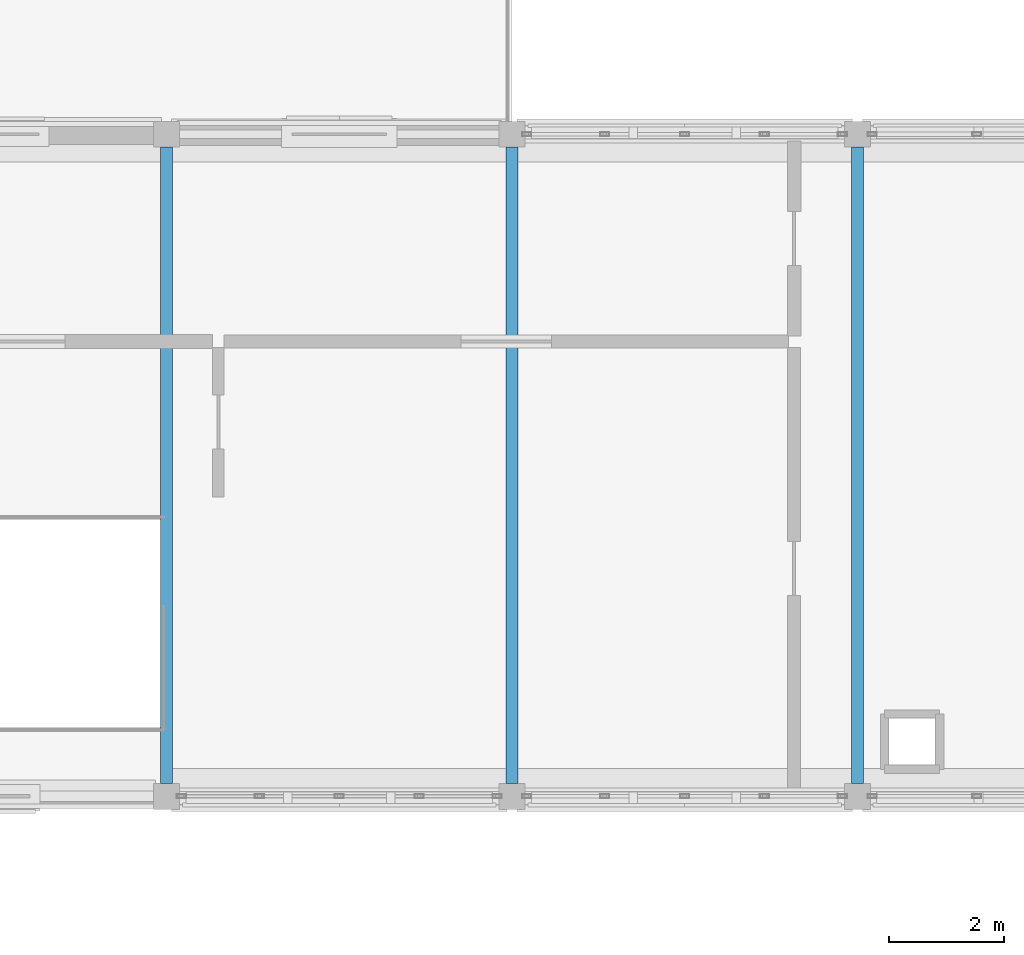
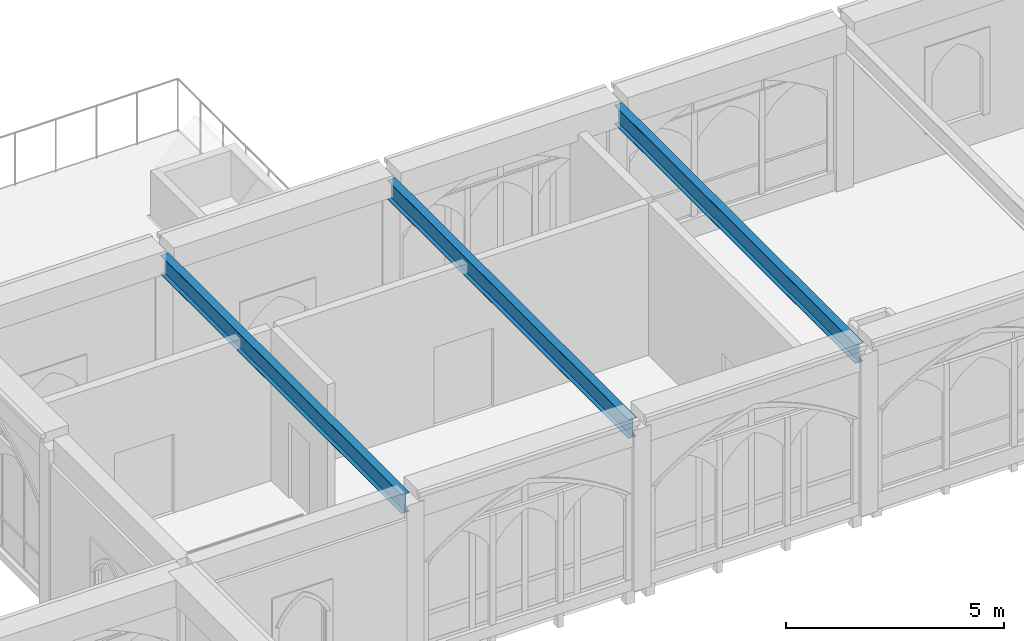
# One storey, part 12 of 59: 3 beams.
"""IFC4 building model written with IfcOpenShell, lengths in metres."""

import ifcopenshell
import ifcopenshell.guid

model = None  # the IFC model being written
_history = None  # IfcOwnerHistory: only IFC2X3 demands one
_inside = {}  # id of a spatial element -> (the spatial element, [elements in it])
_under = {}  # id of a project, library or spatial element -> (it, [spatial elements below it])
_declared = {}  # id of a project -> (the project, [libraries it declares])
_typed = {}  # id of a type object -> (the type object, [elements of that type])
_made_of = {}  # id of a material, layer set ... -> (it, [elements and type objects made of it])


def new_model(schema):
    """Start an empty IFC model of exactly this schema.

    Asked for "IFC4X3", IfcOpenShell would pick the latest addendum, in which some entities
    have other attributes; the version numbers below select the first issue.
    IFC2X3 requires an IfcOwnerHistory on every rooted entity: one is made here for all.
    """
    global model, _history
    if schema == "IFC4X3":
        model = ifcopenshell.file(schema_version=(4, 3, 0, 0))
    else:
        model = ifcopenshell.file(schema=schema)
    _inside.clear()
    _under.clear()
    _declared.clear()
    _typed.clear()
    _made_of.clear()
    _history = None
    if model.schema == "IFC2X3":
        org = make("IfcOrganization", Name="unknown")
        user = make(
            "IfcPersonAndOrganization",
            ThePerson=make("IfcPerson", FamilyName="unknown"),
            TheOrganization=org,
        )
        app = make(
            "IfcApplication",
            ApplicationDeveloper=org,
            Version="unknown",
            ApplicationFullName="unknown",
            ApplicationIdentifier="unknown",
        )
        _history = make(
            "IfcOwnerHistory",
            OwningUser=user,
            OwningApplication=app,
            ChangeAction="ADDED",
            CreationDate=0,
        )
    return model


def make(cls, **values):
    """One entity of the class cls with the attributes given. An attribute that is None is left unset."""
    return model.create_entity(
        cls, **{name: value for name, value in values.items() if value is not None}
    )


def rooted(cls, **values):
    """An entity with a GlobalId (a new one), such as an element, a storey or a relation."""
    return make(cls, GlobalId=ifcopenshell.guid.new(), OwnerHistory=_history, **values)


def si_unit(unit_type, name, prefix=None):
    """IfcSIUnit, for example si_unit("LENGTHUNIT", "METRE", prefix="MILLI")."""
    return make("IfcSIUnit", UnitType=unit_type, Prefix=prefix, Name=name)


def assignment(units):
    """IfcUnitAssignment: the units of a project."""
    return None if units is None else make("IfcUnitAssignment", Units=units)


def point(xyz):
    """IfcCartesianPoint."""
    return None if xyz is None else make("IfcCartesianPoint", Coordinates=xyz)


def direction(xyz):
    """IfcDirection."""
    return None if xyz is None else make("IfcDirection", DirectionRatios=xyz)


def frame(location, z_axis=None, x_axis=None):
    """IfcAxis2Placement3D, a coordinate frame: its origin and axes. An axis left out is left unset."""
    return make(
        "IfcAxis2Placement3D",
        Location=point(location),
        Axis=direction(z_axis),
        RefDirection=direction(x_axis),
    )


def frame_2d(location, x_axis=None):
    """IfcAxis2Placement2D, a coordinate frame in the plane: its origin and x axis."""
    return make(
        "IfcAxis2Placement2D", Location=point(location), RefDirection=direction(x_axis)
    )


def origin():
    """The frame at (0, 0, 0) with its axes left unset."""
    return frame((0.0, 0.0, 0.0))


def origin_2d():
    """The frame at (0, 0) in the plane with its x axis left unset."""
    return frame_2d((0.0, 0.0))


def place(relative_to, where):
    """IfcLocalPlacement: puts the frame where relative to a parent placement (None: the world)."""
    return make(
        "IfcLocalPlacement", PlacementRelTo=relative_to, RelativePlacement=where
    )


def context(
    kind, dimensions, precision=None, world=None, true_north=None, identifier=None
):
    """IfcGeometricRepresentationContext, for example the 3D "Model" context."""
    return make(
        "IfcGeometricRepresentationContext",
        ContextIdentifier=identifier,
        ContextType=kind,
        CoordinateSpaceDimension=dimensions,
        Precision=precision,
        WorldCoordinateSystem=world,
        TrueNorth=true_north,
    )


def subcontext(parent, identifier, kind, view, scale=None):
    """IfcGeometricRepresentationSubContext, for example "Body" below "Model"."""
    return make(
        "IfcGeometricRepresentationSubContext",
        ContextIdentifier=identifier,
        ContextType=kind,
        ParentContext=parent,
        TargetScale=scale,
        TargetView=view,
    )


def project(units=None, contexts=None):
    """IfcProject with its units and contexts."""
    return rooted(
        "IfcProject",
        Name="project",
        RepresentationContexts=contexts,
        UnitsInContext=assignment(units),
    )


def spatial(cls, under=None, at=None, **own):
    """A site, building, storey or space (cls), placed at a placement, below another one or the project."""
    s = rooted(cls, ObjectPlacement=at, **own)
    if under is not None:
        _under.setdefault(under.id(), (under, []))[1].append(s)
    return s


def profile(cls, at=None, kind="AREA", **sizes):
    """A parametric profile (cls). Its sizes go by their IFC names, for example OverallWidth=200.0."""
    return make(cls, ProfileType=kind, Position=at, **sizes)


def i_section(**sizes):
    """IfcIShapeProfileDef."""
    return profile("IfcIShapeProfileDef", **sizes)


def extrude(swept, where, along, depth):
    """IfcExtrudedAreaSolid: the profile swept, set in the frame where, extruded along a direction by depth."""
    return make(
        "IfcExtrudedAreaSolid",
        SweptArea=swept,
        Position=where,
        ExtrudedDirection=direction(along),
        Depth=depth,
    )


def shape(context_of_items, identifier, shape_type, items):
    """IfcShapeRepresentation: the items that make up one representation, for example the "Body"."""
    return make(
        "IfcShapeRepresentation",
        ContextOfItems=context_of_items,
        RepresentationIdentifier=identifier,
        RepresentationType=shape_type,
        Items=items,
    )


def material(Name=None, Category=None):
    """IfcMaterial."""
    return make("IfcMaterial", Name=Name, Category=Category)


def material_profile(
    of_material, cross_section, Name=None, Category=None, Priority=None
):
    """IfcMaterialProfile: a cross section and its material."""
    return make(
        "IfcMaterialProfile",
        Name=Name,
        Material=of_material,
        Profile=cross_section,
        Priority=Priority,
        Category=Category,
    )


def profile_set(profiles, Name=None, composite=None):
    """IfcMaterialProfileSet."""
    return make(
        "IfcMaterialProfileSet",
        Name=Name,
        MaterialProfiles=profiles,
        CompositeProfile=composite,
    )


def made_of(thing, what):
    """Note that an element or type object is made of a material, layer set ...; save() writes the relation."""
    if what is not None:
        _made_of.setdefault(what.id(), (what, []))[1].append(thing)
    return thing


def type_object(cls, material=None, **own):
    """A type object (cls), such as IfcWallType, which elements share."""
    return made_of(rooted(cls, **own), material)


def element(
    cls,
    number,
    at=None,
    inside=None,
    cuts=None,
    type_object=None,
    material=None,
    context=None,
    identifier="Body",
    shape_type=None,
    held_by="IfcProductDefinitionShape",
    body=None,
    shapes=None,
    **own,
):
    """One element of the class cls, such as IfcWall. Its Tag is "e" and its number.

    at: its placement. inside: the storey or other place that contains it. cuts: it is an
    opening in that element (IfcRelVoidsElement). A single representation is given by context,
    identifier, shape_type and body (its items); several are given by shapes. held_by: the class
    of the entity that holds the representations. save() writes the other relations.
    """
    e = rooted(cls, Tag="e%d" % number, ObjectPlacement=at, **own)
    if body is not None:
        shapes = [shape(context, identifier, shape_type, body)]
    if shapes is not None:
        e.Representation = make(held_by, Representations=shapes)
    if inside is not None:
        _inside.setdefault(inside.id(), (inside, []))[1].append(e)
    if cuts is not None:
        rooted(
            "IfcRelVoidsElement", RelatingBuildingElement=cuts, RelatedOpeningElement=e
        )
    if type_object is not None:
        _typed.setdefault(type_object.id(), (type_object, []))[1].append(e)
    return made_of(e, material)


def aggregate(whole, parts):
    """IfcRelAggregates: a whole, such as a stair, and the parts it consists of."""
    return rooted("IfcRelAggregates", RelatingObject=whole, RelatedObjects=parts)


def save(model, path):
    """Write the relations noted so far, then the file.

    IfcRelAggregates (storeys below a building ...), IfcRelContainedInSpatialStructure (elements
    in a storey), IfcRelDefinesByType, IfcRelAssociatesMaterial and IfcRelDeclares: one each for
    every whole, place, type object, material and project.
    """
    for whole, parts in _under.values():
        aggregate(whole, parts)
    for where, things in _inside.values():
        rooted(
            "IfcRelContainedInSpatialStructure",
            RelatedElements=things,
            RelatingStructure=where,
        )
    for kind, things in _typed.values():
        rooted("IfcRelDefinesByType", RelatedObjects=things, RelatingType=kind)
    for what, things in _made_of.values():
        rooted("IfcRelAssociatesMaterial", RelatedObjects=things, RelatingMaterial=what)
    for by, libraries in _declared.values():
        rooted("IfcRelDeclares", RelatingContext=by, RelatedDefinitions=libraries)
    model.write(path)


model = new_model("IFC4")

# Units and contexts
model_context = context("Model", 3, precision=1e-05, world=origin(), true_north=direction((0.0, 1.0)))
body_context = subcontext(model_context, "Body", "Model", "MODEL_VIEW")
ifc_project = project(units=[si_unit("LENGTHUNIT", "METRE"), si_unit("AREAUNIT", "SQUARE_METRE"), si_unit("VOLUMEUNIT", "CUBIC_METRE"), si_unit("PLANEANGLEUNIT", "RADIAN"), si_unit("MASSUNIT", "GRAM", prefix="KILO")], contexts=[model_context])

# Site, building, storey
site_placement = place(None, origin())
site = spatial("IfcSite", under=ifc_project, at=site_placement, CompositionType="ELEMENT")
building_placement = place(site_placement, origin())
building = spatial("IfcBuilding", under=site, at=building_placement, Name="Cumevento Cable Car Station", CompositionType="ELEMENT")
storey_placement = place(building_placement, frame((0.0, 0.0, 18.0)))
storey = spatial("IfcBuildingStorey", under=building, at=storey_placement, Name="L05", CompositionType="ELEMENT", Elevation=18.0)

# Beams
ifc_material = material(Name="Steel ASTM A572 Grade 50", Category="steel")
ifc_material_profile = material_profile(ifc_material, i_section(OverallWidth=0.208984375, OverallDepth=0.532958984375, WebThickness=0.01025390625, FlangeThickness=0.015625, at=origin_2d()), Name="W530x92.0")
ifc_profile_set = profile_set([ifc_material_profile], Name="Steel ASTM A572 Grade 50")
beam_type = type_object("IfcBeamType", Name="Structural Beam BM-03 W530x92.0", PredefinedType="BEAM", material=ifc_profile_set)
for number, where, z_axis, x_axis, name in (
    (1, (28.0, 45.22509765625, 4.2333984375), (0.0, 1.0, 0.0), (-1.0, 0.0, 0.0), "Beam BM-03 L05 #1602"),
    (2, (34.0, 45.22509765625, 4.2333984375), (0.0, 1.0, 0.0), (-1.0, 0.0, 0.0), "Beam BM-03 L05 #1603"),
    (3, (40.0, 45.22509765625, 4.2333984375), (0.0, 1.0, 0.0), (-1.0, 0.0, 0.0), "Beam BM-03 L05 #1604"),
):
    element("IfcBeam", number, at=place(storey_placement, frame(where, z_axis=z_axis, x_axis=x_axis)), inside=storey, type_object=beam_type, Name=name, PredefinedType="BEAM", context=body_context, shape_type="SweptSolid", body=[
        extrude(i_section(OverallWidth=0.208984375, OverallDepth=0.532958984375, WebThickness=0.01025390625, FlangeThickness=0.015625, at=origin_2d()), origin(), (0.0, 0.0, 1.0), 11.0498046875),
    ])

save(model, "model.ifc")
